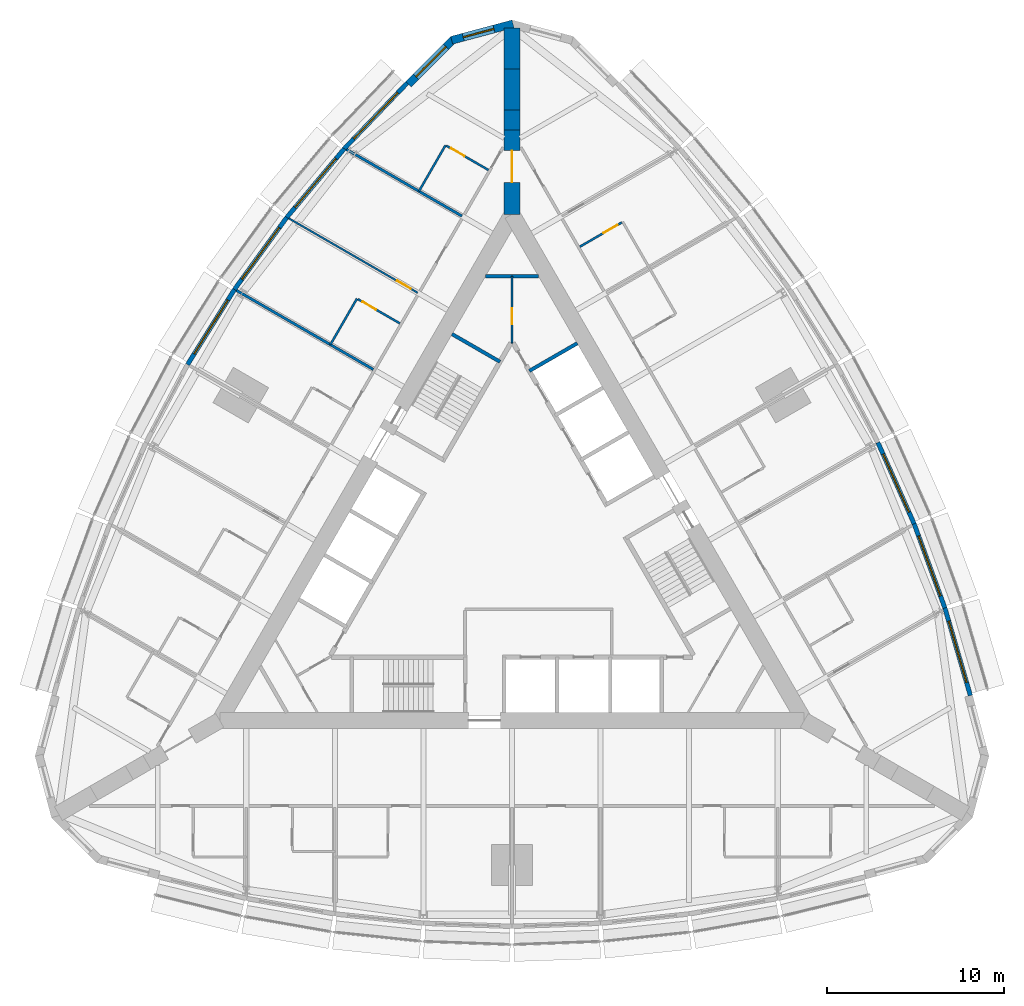
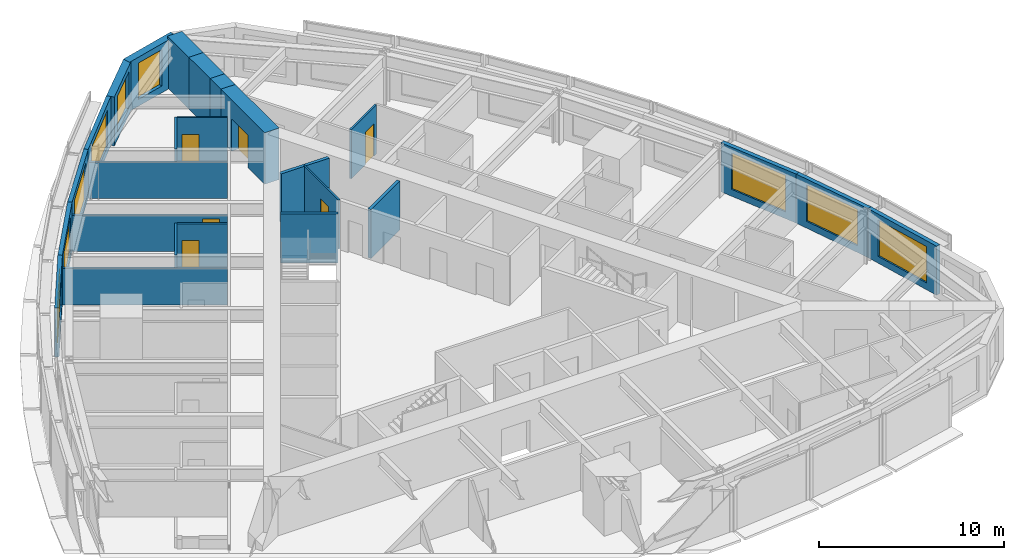
# One storey, part 12 of 14: 25 walls, 9 windows, 6 doors, 15 openings.
"""IFC4 building model written with IfcOpenShell, lengths in metres."""

import ifcopenshell
import ifcopenshell.guid

model = None  # the IFC model being written
_history = None  # IfcOwnerHistory: only IFC2X3 demands one
_inside = {}  # id of a spatial element -> (the spatial element, [elements in it])
_under = {}  # id of a project, library or spatial element -> (it, [spatial elements below it])
_declared = {}  # id of a project -> (the project, [libraries it declares])
_typed = {}  # id of a type object -> (the type object, [elements of that type])
_made_of = {}  # id of a material, layer set ... -> (it, [elements and type objects made of it])


def new_model(schema):
    """Start an empty IFC model of exactly this schema.

    Asked for "IFC4X3", IfcOpenShell would pick the latest addendum, in which some entities
    have other attributes; the version numbers below select the first issue.
    IFC2X3 requires an IfcOwnerHistory on every rooted entity: one is made here for all.
    """
    global model, _history
    if schema == "IFC4X3":
        model = ifcopenshell.file(schema_version=(4, 3, 0, 0))
    else:
        model = ifcopenshell.file(schema=schema)
    _inside.clear()
    _under.clear()
    _declared.clear()
    _typed.clear()
    _made_of.clear()
    _history = None
    if model.schema == "IFC2X3":
        org = make("IfcOrganization", Name="unknown")
        user = make(
            "IfcPersonAndOrganization",
            ThePerson=make("IfcPerson", FamilyName="unknown"),
            TheOrganization=org,
        )
        app = make(
            "IfcApplication",
            ApplicationDeveloper=org,
            Version="unknown",
            ApplicationFullName="unknown",
            ApplicationIdentifier="unknown",
        )
        _history = make(
            "IfcOwnerHistory",
            OwningUser=user,
            OwningApplication=app,
            ChangeAction="ADDED",
            CreationDate=0,
        )
    return model


def make(cls, **values):
    """One entity of the class cls with the attributes given. An attribute that is None is left unset."""
    return model.create_entity(
        cls, **{name: value for name, value in values.items() if value is not None}
    )


def rooted(cls, **values):
    """An entity with a GlobalId (a new one), such as an element, a storey or a relation."""
    return make(cls, GlobalId=ifcopenshell.guid.new(), OwnerHistory=_history, **values)


def si_unit(unit_type, name, prefix=None):
    """IfcSIUnit, for example si_unit("LENGTHUNIT", "METRE", prefix="MILLI")."""
    return make("IfcSIUnit", UnitType=unit_type, Prefix=prefix, Name=name)


def assignment(units):
    """IfcUnitAssignment: the units of a project."""
    return None if units is None else make("IfcUnitAssignment", Units=units)


def point(xyz):
    """IfcCartesianPoint."""
    return None if xyz is None else make("IfcCartesianPoint", Coordinates=xyz)


def direction(xyz):
    """IfcDirection."""
    return None if xyz is None else make("IfcDirection", DirectionRatios=xyz)


def frame(location, z_axis=None, x_axis=None):
    """IfcAxis2Placement3D, a coordinate frame: its origin and axes. An axis left out is left unset."""
    return make(
        "IfcAxis2Placement3D",
        Location=point(location),
        Axis=direction(z_axis),
        RefDirection=direction(x_axis),
    )


def frame_2d(location, x_axis=None):
    """IfcAxis2Placement2D, a coordinate frame in the plane: its origin and x axis."""
    return make(
        "IfcAxis2Placement2D", Location=point(location), RefDirection=direction(x_axis)
    )


def origin():
    """The frame at (0, 0, 0) with its axes left unset."""
    return frame((0.0, 0.0, 0.0))


def place(relative_to, where):
    """IfcLocalPlacement: puts the frame where relative to a parent placement (None: the world)."""
    return make(
        "IfcLocalPlacement", PlacementRelTo=relative_to, RelativePlacement=where
    )


def context(
    kind, dimensions, precision=None, world=None, true_north=None, identifier=None
):
    """IfcGeometricRepresentationContext, for example the 3D "Model" context."""
    return make(
        "IfcGeometricRepresentationContext",
        ContextIdentifier=identifier,
        ContextType=kind,
        CoordinateSpaceDimension=dimensions,
        Precision=precision,
        WorldCoordinateSystem=world,
        TrueNorth=true_north,
    )


def subcontext(parent, identifier, kind, view, scale=None):
    """IfcGeometricRepresentationSubContext, for example "Body" below "Model"."""
    return make(
        "IfcGeometricRepresentationSubContext",
        ContextIdentifier=identifier,
        ContextType=kind,
        ParentContext=parent,
        TargetScale=scale,
        TargetView=view,
    )


def project(units=None, contexts=None):
    """IfcProject with its units and contexts."""
    return rooted(
        "IfcProject",
        Name="project",
        RepresentationContexts=contexts,
        UnitsInContext=assignment(units),
    )


def spatial(cls, under=None, at=None, **own):
    """A site, building, storey or space (cls), placed at a placement, below another one or the project."""
    s = rooted(cls, ObjectPlacement=at, **own)
    if under is not None:
        _under.setdefault(under.id(), (under, []))[1].append(s)
    return s


def polyline(points):
    """IfcPolyline through the points."""
    return make("IfcPolyline", Points=[point(p) for p in points])


def profile(cls, at=None, kind="AREA", **sizes):
    """A parametric profile (cls). Its sizes go by their IFC names, for example OverallWidth=200.0."""
    return make(cls, ProfileType=kind, Position=at, **sizes)


def rectangle(**sizes):
    """IfcRectangleProfileDef."""
    return profile("IfcRectangleProfileDef", **sizes)


def outline(outer, holes=None, kind="AREA"):
    """IfcArbitraryClosedProfileDef: a profile drawn as a closed curve; with holes, ...WithVoids."""
    if holes is None:
        return make("IfcArbitraryClosedProfileDef", ProfileType=kind, OuterCurve=outer)
    return make(
        "IfcArbitraryProfileDefWithVoids",
        ProfileType=kind,
        OuterCurve=outer,
        InnerCurves=holes,
    )


def extrude(swept, where, along, depth):
    """IfcExtrudedAreaSolid: the profile swept, set in the frame where, extruded along a direction by depth."""
    return make(
        "IfcExtrudedAreaSolid",
        SweptArea=swept,
        Position=where,
        ExtrudedDirection=direction(along),
        Depth=depth,
    )


def shape(context_of_items, identifier, shape_type, items):
    """IfcShapeRepresentation: the items that make up one representation, for example the "Body"."""
    return make(
        "IfcShapeRepresentation",
        ContextOfItems=context_of_items,
        RepresentationIdentifier=identifier,
        RepresentationType=shape_type,
        Items=items,
    )


def material(Name=None, Category=None):
    """IfcMaterial."""
    return make("IfcMaterial", Name=Name, Category=Category)


def layer(
    of_material, thickness, ventilated=None, Name=None, Category=None, Priority=None
):
    """IfcMaterialLayer: one layer of a wall or slab, of a material (None: an air gap)."""
    return make(
        "IfcMaterialLayer",
        Material=of_material,
        LayerThickness=thickness,
        IsVentilated=ventilated,
        Name=Name,
        Category=Category,
        Priority=Priority,
    )


def layer_set(layers, Name=None):
    """IfcMaterialLayerSet."""
    return make("IfcMaterialLayerSet", MaterialLayers=layers, LayerSetName=Name)


def made_of(thing, what):
    """Note that an element or type object is made of a material, layer set ...; save() writes the relation."""
    if what is not None:
        _made_of.setdefault(what.id(), (what, []))[1].append(thing)
    return thing


def type_object(cls, material=None, **own):
    """A type object (cls), such as IfcWallType, which elements share."""
    return made_of(rooted(cls, **own), material)


def element(
    cls,
    number,
    at=None,
    inside=None,
    cuts=None,
    type_object=None,
    material=None,
    context=None,
    identifier="Body",
    shape_type=None,
    held_by="IfcProductDefinitionShape",
    body=None,
    shapes=None,
    **own,
):
    """One element of the class cls, such as IfcWall. Its Tag is "e" and its number.

    at: its placement. inside: the storey or other place that contains it. cuts: it is an
    opening in that element (IfcRelVoidsElement). A single representation is given by context,
    identifier, shape_type and body (its items); several are given by shapes. held_by: the class
    of the entity that holds the representations. save() writes the other relations.
    """
    e = rooted(cls, Tag="e%d" % number, ObjectPlacement=at, **own)
    if body is not None:
        shapes = [shape(context, identifier, shape_type, body)]
    if shapes is not None:
        e.Representation = make(held_by, Representations=shapes)
    if inside is not None:
        _inside.setdefault(inside.id(), (inside, []))[1].append(e)
    if cuts is not None:
        rooted(
            "IfcRelVoidsElement", RelatingBuildingElement=cuts, RelatedOpeningElement=e
        )
    if type_object is not None:
        _typed.setdefault(type_object.id(), (type_object, []))[1].append(e)
    return made_of(e, material)


def fill(opening, filler):
    """IfcRelFillsElement: the door or window that sits in an opening."""
    return rooted(
        "IfcRelFillsElement",
        RelatingOpeningElement=opening,
        RelatedBuildingElement=filler,
    )


def aggregate(whole, parts):
    """IfcRelAggregates: a whole, such as a stair, and the parts it consists of."""
    return rooted("IfcRelAggregates", RelatingObject=whole, RelatedObjects=parts)


def save(model, path):
    """Write the relations noted so far, then the file.

    IfcRelAggregates (storeys below a building ...), IfcRelContainedInSpatialStructure (elements
    in a storey), IfcRelDefinesByType, IfcRelAssociatesMaterial and IfcRelDeclares: one each for
    every whole, place, type object, material and project.
    """
    for whole, parts in _under.values():
        aggregate(whole, parts)
    for where, things in _inside.values():
        rooted(
            "IfcRelContainedInSpatialStructure",
            RelatedElements=things,
            RelatingStructure=where,
        )
    for kind, things in _typed.values():
        rooted("IfcRelDefinesByType", RelatedObjects=things, RelatingType=kind)
    for what, things in _made_of.values():
        rooted("IfcRelAssociatesMaterial", RelatedObjects=things, RelatingMaterial=what)
    for by, libraries in _declared.values():
        rooted("IfcRelDeclares", RelatingContext=by, RelatedDefinitions=libraries)
    model.write(path)


model = new_model("IFC4")

# Units and contexts
model_context = context("Model", 3, precision=1e-05, world=origin(), true_north=direction((0.0, 1.0)))
body_context = subcontext(model_context, "Body", "Model", "MODEL_VIEW")
ifc_project = project(units=[si_unit("LENGTHUNIT", "METRE"), si_unit("AREAUNIT", "SQUARE_METRE"), si_unit("VOLUMEUNIT", "CUBIC_METRE"), si_unit("PLANEANGLEUNIT", "RADIAN"), si_unit("MASSUNIT", "GRAM", prefix="KILO")], contexts=[model_context])

# Site, building, storey
site_placement = place(None, origin())
site = spatial("IfcSite", under=ifc_project, at=site_placement, CompositionType="ELEMENT")
building_placement = place(site_placement, origin())
building = spatial("IfcBuilding", under=site, at=building_placement, Name="Trikona Tower", CompositionType="ELEMENT")
storey_placement = place(building_placement, frame((0.0, 0.0, 175.89990234375)))
storey = spatial("IfcBuildingStorey", under=building, at=storey_placement, Name="L47", CompositionType="ELEMENT", Elevation=175.89990234375)

# Wall, opening, door
ifc_material_1 = material(Name="Metal stud and cement board", Category="gypsum")
ifc_layer_1 = layer(ifc_material_1, 0.1201171875)
ifc_layer_set_1 = layer_set([ifc_layer_1], Name="Bathroom wall 120")
wall_type_1 = type_object("IfcWallType", Name="Bathroom wall 120", PredefinedType="PLUMBINGWALL", material=ifc_layer_set_1)
wall_1_placement = place(storey_placement, frame((3.82861328125, 17.221435546875, 0.0), z_axis=(0.0, 0.0, 1.0), x_axis=(0.865997131366, 0.500048966069, 0.0)))
wall_1 = element("IfcWall", 1, at=wall_1_placement, inside=storey, type_object=wall_type_1, Name="Bathroom wall 4709.1", PredefinedType="PLUMBINGWALL", context=body_context, shape_type="SweptSolid", body=[
    extrude(rectangle(XDim=2.739990234375, YDim=0.1201171875, at=frame_2d((1.3701171875, 0.0))), origin(), (0.0, 0.0, 1.0), 3.235107421875),
])
opening_1_placement = place(wall_1_placement, frame((1.550048828125, 0.0, 0.0)))
opening_1 = element("IfcOpeningElement", 2, at=opening_1_placement, cuts=wall_1, Name="Opening D2", PredefinedType="OPENING", context=body_context, shape_type="SweptSolid", body=[
    extrude(rectangle(XDim=0.89990234375, YDim=2.1298828125, at=frame_2d((0.449951171875, 1.06494140625))), frame((0.0, 0.070068359375, 0.0), z_axis=(0.0, -1.0, 0.0), x_axis=(1.0, 0.0, 0.0)), (0.0, 0.0, 1.0), 0.14013671875),
])
ifc_material_2 = material(Name="Steel door frame with solid-core timber leaf", Category="steel")
door_type_1 = type_object("IfcDoorType", Name="Bathroom door 900x2130", OperationType="SLIDING_TO_LEFT", PredefinedType="DOOR", material=ifc_material_2)
door_1_placement = place(opening_1_placement, origin())
door_1 = element("IfcDoor", 3, at=door_1_placement, inside=storey, type_object=door_type_1, Name="Bathroom door 4709.1", OperationType="SLIDING_TO_LEFT", OverallHeight=2.1298828125, OverallWidth=0.89990234375, PredefinedType="DOOR", context=body_context, shape_type="SweptSolid", body=[
    extrude(rectangle(XDim=0.89990234375, YDim=2.1298828125, at=frame_2d((0.449951171875, 1.06494140625))), frame((0.0, 0.02490234375, 0.0), z_axis=(0.0, -1.0, 0.0), x_axis=(1.0, 0.0, 0.0)), (0.0, 0.0, 1.0), 0.050048828125),
])
fill(opening_1, door_1)

# Wall
wall_2_placement = place(storey_placement, frame((-3.75341796875, 22.95166015625, 0.0), z_axis=(0.0, 0.0, 1.0), x_axis=(-0.499990139034, -0.866031096941, 0.0)))
element("IfcWall", 4, at=wall_2_placement, inside=storey, type_object=wall_type_1, Name="Bathroom wall 4710", PredefinedType="PLUMBINGWALL", context=body_context, shape_type="SweptSolid", body=[
    extrude(rectangle(XDim=3.0, YDim=0.1201171875, at=frame_2d((1.5, 0.0))), origin(), (0.0, 0.0, 1.0), 3.235107421875),
])

# Wall, opening, door
wall_3_placement = place(storey_placement, frame((-1.32861328125, 21.551513671875, 0.0), z_axis=(0.0, 0.0, 1.0), x_axis=(-0.865997131366, 0.500048966069, 0.0)))
wall_3 = element("IfcWall", 5, at=wall_3_placement, inside=storey, type_object=wall_type_1, Name="Bathroom wall 4710", PredefinedType="PLUMBINGWALL", context=body_context, shape_type="SweptSolid", body=[
    extrude(rectangle(XDim=2.739990234375, YDim=0.1201171875, at=frame_2d((1.3701171875, 0.0))), origin(), (0.0, 0.0, 1.0), 3.235107421875),
])
opening_2_placement = place(wall_3_placement, frame((1.550048828125, 0.0, 0.0)))
opening_2 = element("IfcOpeningElement", 6, at=opening_2_placement, cuts=wall_3, Name="Opening D2", PredefinedType="OPENING", context=body_context, shape_type="SweptSolid", body=[
    extrude(rectangle(XDim=0.89990234375, YDim=2.1298828125, at=frame_2d((0.449951171875, 1.06494140625))), frame((0.0, 0.070068359375, 0.0), z_axis=(0.0, -1.0, 0.0), x_axis=(1.0, 0.0, 0.0)), (0.0, 0.0, 1.0), 0.14013671875),
])
door_2_placement = place(opening_2_placement, origin())
door_2 = element("IfcDoor", 7, at=door_2_placement, inside=storey, type_object=door_type_1, Name="Bathroom door 4710", OperationType="SLIDING_TO_LEFT", OverallHeight=2.1298828125, OverallWidth=0.89990234375, PredefinedType="DOOR", context=body_context, shape_type="SweptSolid", body=[
    extrude(rectangle(XDim=0.89990234375, YDim=2.1298828125, at=frame_2d((0.449951171875, 1.06494140625))), frame((0.0, 0.02490234375, 0.0), z_axis=(0.0, -1.0, 0.0), x_axis=(1.0, 0.0, 0.0)), (0.0, 0.0, 1.0), 0.050048828125),
])
fill(opening_2, door_2)

# Wall
wall_4_placement = place(storey_placement, frame((-8.75341796875, 14.291259765625, 0.0), z_axis=(0.0, 0.0, 1.0), x_axis=(-0.50002537861, -0.866010750942, 0.0)))
element("IfcWall", 8, at=wall_4_placement, inside=storey, type_object=wall_type_1, Name="Bathroom wall 4711.1", PredefinedType="PLUMBINGWALL", context=body_context, shape_type="SweptSolid", body=[
    extrude(rectangle(XDim=2.999755859375, YDim=0.1201171875, at=frame_2d((1.5, 0.0))), origin(), (0.0, 0.0, 1.0), 3.235107421875),
])

# Wall, opening, door
wall_5_placement = place(storey_placement, frame((-6.32861328125, 12.891357421875, 0.0), z_axis=(0.0, 0.0, 1.0), x_axis=(-0.866035715982, 0.499982138324, 0.0)))
wall_5 = element("IfcWall", 9, at=wall_5_placement, inside=storey, type_object=wall_type_1, Name="Bathroom wall 4711.1", PredefinedType="PLUMBINGWALL", context=body_context, shape_type="SweptSolid", body=[
    extrude(rectangle(XDim=2.73974609375, YDim=0.1201171875, at=frame_2d((1.369873046875, 0.0))), origin(), (0.0, 0.0, 1.0), 3.235107421875),
])
opening_3_placement = place(wall_5_placement, frame((1.550048828125, 0.0, 0.0)))
opening_3 = element("IfcOpeningElement", 10, at=opening_3_placement, cuts=wall_5, Name="Opening D2", PredefinedType="OPENING", context=body_context, shape_type="SweptSolid", body=[
    extrude(rectangle(XDim=0.89990234375, YDim=2.1298828125, at=frame_2d((0.449951171875, 1.06494140625))), frame((0.0, 0.070068359375, 0.0), z_axis=(0.0, -1.0, 0.0), x_axis=(1.0, 0.0, 0.0)), (0.0, 0.0, 1.0), 0.14013671875),
])
door_3_placement = place(opening_3_placement, origin())
door_3 = element("IfcDoor", 11, at=door_3_placement, inside=storey, type_object=door_type_1, Name="Bathroom door 4711.1", OperationType="SLIDING_TO_LEFT", OverallHeight=2.1298828125, OverallWidth=0.89990234375, PredefinedType="DOOR", context=body_context, shape_type="SweptSolid", body=[
    extrude(rectangle(XDim=0.89990234375, YDim=2.1298828125, at=frame_2d((0.449951171875, 1.06494140625))), frame((0.0, 0.02490234375, 0.0), z_axis=(0.0, -1.0, 0.0), x_axis=(1.0, 0.0, 0.0)), (0.0, 0.0, 1.0), 0.050048828125),
])
fill(opening_3, door_3)

# Wall, opening, window
ifc_material_3 = material(Name="Brick-faced precast concrete", Category="masonry")
ifc_layer_2 = layer(ifc_material_3, 0.449951171875)
ifc_layer_set_2 = layer_set([ifc_layer_2], Name="Brick-faced corner wall 450")
wall_type_2 = type_object("IfcWallType", Name="Brick-faced corner wall 450", PredefinedType="SOLIDWALL", material=ifc_layer_set_2)
wall_6_placement = place(storey_placement, frame((0.05810546875, 29.804931640625, 0.0), z_axis=(0.0, 0.0, 1.0), x_axis=(-0.965924653531, -0.258823421857, 0.0)))
wall_6 = element("IfcWall", 12, at=wall_6_placement, inside=storey, type_object=wall_type_2, Name="External wall L47-22", PredefinedType="SOLIDWALL", context=body_context, shape_type="SweptSolid", body=[
    extrude(outline(polyline([(3.58642578125, 0.22509765625), (0.58642578125, 0.22509765625), (0.551025390625, 0.09326171875), (0.0595703125, 0.22509765625), (0.0, 0.22509765625), (0.0, -0.22509765625), (3.58642578125, -0.22509765625), (3.58642578125, 0.22509765625)])), origin(), (0.0, 0.0, 1.0), 3.235107421875),
])
opening_4_placement = place(wall_6_placement, frame((1.111328125, 0.0, 0.449951171875)))
opening_4 = element("IfcOpeningElement", 13, at=opening_4_placement, cuts=wall_6, Name="Opening W1824", PredefinedType="OPENING", context=body_context, shape_type="SweptSolid", body=[
    extrude(rectangle(XDim=1.800048828125, YDim=2.39990234375, at=frame_2d((0.89990234375, 1.199951171875))), frame((0.0, 0.23486328125, 0.0), z_axis=(0.0, -1.0, 0.0), x_axis=(1.0, 0.0, 0.0)), (0.0, 0.0, 1.0), 0.469970703125),
])
ifc_material_4 = material(Name="Aluminium-framed double glazing", Category="aluminium")
window_type_1 = type_object("IfcWindowType", Name="Window 1800x2400", PartitioningType="SINGLE_PANEL", PredefinedType="WINDOW", material=ifc_material_4)
window_1_placement = place(opening_4_placement, origin())
window_1 = element("IfcWindow", 14, at=window_1_placement, inside=storey, type_object=window_type_1, Name="Window 4710", OverallHeight=2.39990234375, OverallWidth=1.800048828125, PartitioningType="SINGLE_PANEL", PredefinedType="WINDOW", context=body_context, shape_type="SweptSolid", body=[
    extrude(rectangle(XDim=1.800048828125, YDim=2.39990234375, at=frame_2d((0.89990234375, 1.199951171875))), frame((0.0, 0.030029296875, 0.0), z_axis=(0.0, -1.0, 0.0), x_axis=(1.0, 0.0, 0.0)), (0.0, 0.0, 1.0), 0.06005859375),
])
fill(opening_4, window_1)

wall_7_placement = place(storey_placement, frame((-3.304931640625, 28.934814453125, 0.0), z_axis=(0.0, 0.0, 1.0), x_axis=(-0.707106781187, -0.707106781187, 0.0)))
wall_7 = element("IfcWall", 15, at=wall_7_placement, inside=storey, type_object=wall_type_2, Name="External wall L47-23", PredefinedType="SOLIDWALL", context=body_context, shape_type="SweptSolid", body=[
    extrude(rectangle(XDim=3.586181640625, YDim=0.449951171875, at=frame_2d((1.79296875, 0.0))), origin(), (0.0, 0.0, 1.0), 3.235107421875),
])
opening_5_placement = place(wall_7_placement, frame((0.59326171875, 0.0, 0.449951171875)))
opening_5 = element("IfcOpeningElement", 16, at=opening_5_placement, cuts=wall_7, Name="Opening W2424", PredefinedType="OPENING", context=body_context, shape_type="SweptSolid", body=[
    extrude(rectangle(XDim=2.39990234375, YDim=2.39990234375, at=frame_2d((1.199951171875, 1.199951171875))), frame((0.0, 0.23486328125, 0.0), z_axis=(0.0, -1.0, 0.0), x_axis=(1.0, 0.0, 0.0)), (0.0, 0.0, 1.0), 0.469970703125),
])
ifc_material_5 = material(Name="Aluminium-framed double glazing", Category="aluminium")
window_type_2 = type_object("IfcWindowType", Name="Window 2400x2400", PartitioningType="SINGLE_PANEL", PredefinedType="WINDOW", material=ifc_material_5)
window_2_placement = place(opening_5_placement, origin())
window_2 = element("IfcWindow", 17, at=window_2_placement, inside=storey, type_object=window_type_2, Name="Window 4710", OverallHeight=2.39990234375, OverallWidth=2.39990234375, PartitioningType="SINGLE_PANEL", PredefinedType="WINDOW", context=body_context, shape_type="SweptSolid", body=[
    extrude(rectangle(XDim=2.39990234375, YDim=2.39990234375, at=frame_2d((1.199951171875, 1.199951171875))), frame((0.0, 0.030029296875, 0.0), z_axis=(0.0, -1.0, 0.0), x_axis=(1.0, 0.0, 0.0)), (0.0, 0.0, 1.0), 0.06005859375),
])
fill(opening_5, window_2)

# Wall, opening, door
ifc_material_6 = material(Name="Concrete f'c 10000 psi", Category="concrete")
ifc_layer_3 = layer(ifc_material_6, 0.89990234375)
ifc_layer_set_3 = layer_set([ifc_layer_3], Name="Buttress wall 900")
wall_type_3 = type_object("IfcWallType", Name="Buttress wall 900", PredefinedType="SHEAR", material=ifc_layer_set_3)
wall_8_placement = place(storey_placement, frame((0.0, 19.052490234375, 0.0), z_axis=(0.0, 0.0, 1.0), x_axis=(0.0, 1.0, 0.0)))
wall_8 = element("IfcWall", 18, at=wall_8_placement, inside=storey, type_object=wall_type_3, Name="Buttress wall 2", PredefinedType="SHEAR", context=body_context, shape_type="SweptSolid", body=[
    extrude(rectangle(XDim=4.74609375, YDim=0.89990234375, at=frame_2d((2.373046875, 0.0))), origin(), (0.0, 0.0, 1.0), 3.400146484375),
])
opening_6_placement = place(wall_8_placement, frame((1.800048828125, 0.0, 0.0)))
opening_6 = element("IfcOpeningElement", 19, at=opening_6_placement, cuts=wall_8, Name="Opening D10", PredefinedType="OPENING", context=body_context, shape_type="SweptSolid", body=[
    extrude(rectangle(XDim=1.800048828125, YDim=2.1298828125, at=frame_2d((0.89990234375, 1.06494140625))), frame((0.0, 0.4599609375, 0.0), z_axis=(0.0, -1.0, 0.0), x_axis=(1.0, 0.0, 0.0)), (0.0, 0.0, 1.0), 0.919921875),
])
ifc_material_7 = material(Name="Hollow metal door and frame", Category="steel")
door_type_2 = type_object("IfcDoorType", Name="Cross-corridor door pair 1800x2130", OperationType="DOUBLE_DOOR_DOUBLE_SWING", PredefinedType="DOOR", material=ifc_material_7)
door_4_placement = place(opening_6_placement, origin())
door_4 = element("IfcDoor", 20, at=door_4_placement, inside=storey, type_object=door_type_2, Name="Cross-corridor door 2", OperationType="DOUBLE_DOOR_DOUBLE_SWING", OverallHeight=2.1298828125, OverallWidth=1.800048828125, PredefinedType="DOOR", context=body_context, shape_type="SweptSolid", body=[
    extrude(rectangle(XDim=1.800048828125, YDim=2.1298828125, at=frame_2d((0.89990234375, 1.06494140625))), frame((0.0, 0.02490234375, 0.0), z_axis=(0.0, -1.0, 0.0), x_axis=(1.0, 0.0, 0.0)), (0.0, 0.0, 1.0), 0.050048828125),
])
fill(opening_6, door_4)

# Walls
wall_9_placement = place(storey_placement, frame((0.0, 23.798583984375, 0.0), z_axis=(0.0, 0.0, 1.0), x_axis=(0.0, 1.0, 0.0)))
element("IfcWall", 21, at=wall_9_placement, inside=storey, type_object=wall_type_3, Name="Buttress wall 2 part 2", PredefinedType="SHEAR", context=body_context, shape_type="SweptSolid", body=[
    extrude(rectangle(XDim=1.15478515625, YDim=0.89990234375, at=frame_2d((0.577392578125, 0.0))), origin(), (0.0, 0.0, 1.0), 3.400146484375),
])
wall_10_placement = place(storey_placement, frame((0.0, 24.953369140625, 0.0), z_axis=(0.0, 0.0, 1.0), x_axis=(0.0, 1.0, 0.0)))
element("IfcWall", 22, at=wall_10_placement, inside=storey, type_object=wall_type_3, Name="Buttress wall 2 part 3", PredefinedType="SHEAR", context=body_context, shape_type="SweptSolid", body=[
    extrude(rectangle(XDim=2.309326171875, YDim=0.89990234375, at=frame_2d((1.15478515625, 0.0))), origin(), (0.0, 0.0, 1.0), 3.400146484375),
])
wall_11_placement = place(storey_placement, frame((0.0, 27.2626953125, 0.0), z_axis=(0.0, 0.0, 1.0), x_axis=(0.0, 1.0, 0.0)))
element("IfcWall", 23, at=wall_11_placement, inside=storey, type_object=wall_type_3, Name="Buttress wall 2 part 4", PredefinedType="SHEAR", context=body_context, shape_type="SweptSolid", body=[
    extrude(rectangle(XDim=2.3095703125, YDim=0.89990234375, at=frame_2d((1.15478515625, 0.0))), origin(), (0.0, 0.0, 1.0), 3.400146484375),
])

# Wall, opening, window
ifc_material_8 = material(Name="Insulated precast concrete spandrel panel", Category="concrete")
ifc_layer_4 = layer(ifc_material_8, 0.25)
ifc_layer_set_4 = layer_set([ifc_layer_4], Name="Inner skin wall 250")
wall_type_4 = type_object("IfcWallType", Name="Inner skin wall 250", PredefinedType="STANDARD", material=ifc_layer_set_4)
wall_12_placement = place(storey_placement, frame((25.8798828125, -8.117919921875, 0.0), z_axis=(0.0, 0.0, 1.0), x_axis=(-0.279528287117, 0.960137457191, 0.0)))
wall_12 = element("IfcWall", 24, at=wall_12_placement, inside=storey, type_object=wall_type_4, Name="External wall L47-12", PredefinedType="STANDARD", context=body_context, shape_type="SweptSolid", body=[
    extrude(rectangle(XDim=5.14794921875, YDim=0.25, at=frame_2d((2.573974609375, 0.0))), origin(), (0.0, 0.0, 1.0), 3.235107421875),
])
opening_7_placement = place(wall_12_placement, frame((0.77392578125, 0.0, 0.449951171875)))
opening_7 = element("IfcOpeningElement", 25, at=opening_7_placement, cuts=wall_12, Name="Opening W3624", PredefinedType="OPENING", context=body_context, shape_type="SweptSolid", body=[
    extrude(rectangle(XDim=3.60009765625, YDim=2.39990234375, at=frame_2d((1.800048828125, 1.199951171875))), frame((0.0, 0.135009765625, 0.0), z_axis=(0.0, -1.0, 0.0), x_axis=(1.0, 0.0, 0.0)), (0.0, 0.0, 1.0), 0.27001953125),
])
ifc_material_9 = material(Name="Aluminium-framed double glazing", Category="aluminium")
window_type_3 = type_object("IfcWindowType", Name="Window 3600x2400", PartitioningType="SINGLE_PANEL", PredefinedType="WINDOW", material=ifc_material_9)
window_3_placement = place(opening_7_placement, origin())
window_3 = element("IfcWindow", 26, at=window_3_placement, inside=storey, type_object=window_type_3, Name="Window 4706", OverallHeight=2.39990234375, OverallWidth=3.60009765625, PartitioningType="SINGLE_PANEL", PredefinedType="WINDOW", context=body_context, shape_type="SweptSolid", body=[
    extrude(rectangle(XDim=3.60009765625, YDim=2.39990234375, at=frame_2d((1.800048828125, 1.199951171875))), frame((0.0, 0.030029296875, 0.0), z_axis=(0.0, -1.0, 0.0), x_axis=(1.0, 0.0, 0.0)), (0.0, 0.0, 1.0), 0.06005859375),
])
fill(opening_7, window_3)

wall_13_placement = place(storey_placement, frame((24.443603515625, -3.18310546875, 0.0), z_axis=(0.0, 0.0, 1.0), x_axis=(-0.343225593282, 0.939252996863, 0.0)))
wall_13 = element("IfcWall", 27, at=wall_13_placement, inside=storey, type_object=wall_type_4, Name="External wall L47-13", PredefinedType="STANDARD", context=body_context, shape_type="SweptSolid", body=[
    extrude(rectangle(XDim=5.075927734375, YDim=0.25, at=frame_2d((2.5380859375, 0.0))), origin(), (0.0, 0.0, 1.0), 3.235107421875),
])
opening_8_placement = place(wall_13_placement, frame((0.738037109375, 0.0, 0.449951171875)))
opening_8 = element("IfcOpeningElement", 28, at=opening_8_placement, cuts=wall_13, Name="Opening W3624", PredefinedType="OPENING", context=body_context, shape_type="SweptSolid", body=[
    extrude(rectangle(XDim=3.60009765625, YDim=2.39990234375, at=frame_2d((1.800048828125, 1.199951171875))), frame((0.0, 0.135009765625, 0.0), z_axis=(0.0, -1.0, 0.0), x_axis=(1.0, 0.0, 0.0)), (0.0, 0.0, 1.0), 0.27001953125),
])
window_4_placement = place(opening_8_placement, origin())
window_4 = element("IfcWindow", 29, at=window_4_placement, inside=storey, type_object=window_type_3, Name="Window 4706.1", OverallHeight=2.39990234375, OverallWidth=3.60009765625, PartitioningType="SINGLE_PANEL", PredefinedType="WINDOW", context=body_context, shape_type="SweptSolid", body=[
    extrude(rectangle(XDim=3.60009765625, YDim=2.39990234375, at=frame_2d((1.800048828125, 1.199951171875))), frame((0.0, 0.030029296875, 0.0), z_axis=(0.0, -1.0, 0.0), x_axis=(1.0, 0.0, 0.0)), (0.0, 0.0, 1.0), 0.06005859375),
])
fill(opening_8, window_4)

wall_14_placement = place(storey_placement, frame((22.70458984375, 1.576416015625, 0.0), z_axis=(0.0, 0.0, 1.0), x_axis=(-0.406832200364, 0.913502906808, 0.0)))
wall_14 = element("IfcWall", 30, at=wall_14_placement, inside=storey, type_object=wall_type_4, Name="External wall L47-14", PredefinedType="STANDARD", context=body_context, shape_type="SweptSolid", body=[
    extrude(rectangle(XDim=5.027587890625, YDim=0.25, at=frame_2d((2.513671875, 0.0))), origin(), (0.0, 0.0, 1.0), 3.235107421875),
])
opening_9_placement = place(wall_14_placement, frame((0.713623046875, 0.0, 0.449951171875)))
opening_9 = element("IfcOpeningElement", 31, at=opening_9_placement, cuts=wall_14, Name="Opening W3624", PredefinedType="OPENING", context=body_context, shape_type="SweptSolid", body=[
    extrude(rectangle(XDim=3.60009765625, YDim=2.39990234375, at=frame_2d((1.800048828125, 1.199951171875))), frame((0.0, 0.135009765625, 0.0), z_axis=(0.0, -1.0, 0.0), x_axis=(1.0, 0.0, 0.0)), (0.0, 0.0, 1.0), 0.27001953125),
])
window_5_placement = place(opening_9_placement, origin())
window_5 = element("IfcWindow", 32, at=window_5_placement, inside=storey, type_object=window_type_3, Name="Window 4707", OverallHeight=2.39990234375, OverallWidth=3.60009765625, PartitioningType="SINGLE_PANEL", PredefinedType="WINDOW", context=body_context, shape_type="SweptSolid", body=[
    extrude(rectangle(XDim=3.60009765625, YDim=2.39990234375, at=frame_2d((1.800048828125, 1.199951171875))), frame((0.0, 0.030029296875, 0.0), z_axis=(0.0, -1.0, 0.0), x_axis=(1.0, 0.0, 0.0)), (0.0, 0.0, 1.0), 0.06005859375),
])
fill(opening_9, window_5)

wall_15_placement = place(storey_placement, frame((-5.90966796875, 26.4716796875, 0.0), z_axis=(0.0, 0.0, 1.0), x_axis=(-0.691719937936, -0.722165858693, 0.0)))
wall_15 = element("IfcWall", 33, at=wall_15_placement, inside=storey, type_object=wall_type_4, Name="External wall L47-24", PredefinedType="STANDARD", context=body_context, shape_type="SweptSolid", body=[
    extrude(rectangle(XDim=5.148193359375, YDim=0.25, at=frame_2d((2.57421875, 0.0))), origin(), (0.0, 0.0, 1.0), 3.235107421875),
])
opening_10_placement = place(wall_15_placement, frame((0.77392578125, 0.0, 0.449951171875)))
opening_10 = element("IfcOpeningElement", 34, at=opening_10_placement, cuts=wall_15, Name="Opening W3624", PredefinedType="OPENING", context=body_context, shape_type="SweptSolid", body=[
    extrude(rectangle(XDim=3.60009765625, YDim=2.39990234375, at=frame_2d((1.800048828125, 1.199951171875))), frame((0.0, 0.135009765625, 0.0), z_axis=(0.0, -1.0, 0.0), x_axis=(1.0, 0.0, 0.0)), (0.0, 0.0, 1.0), 0.27001953125),
])
window_6_placement = place(opening_10_placement, origin())
window_6 = element("IfcWindow", 35, at=window_6_placement, inside=storey, type_object=window_type_3, Name="Window 4710", OverallHeight=2.39990234375, OverallWidth=3.60009765625, PartitioningType="SINGLE_PANEL", PredefinedType="WINDOW", context=body_context, shape_type="SweptSolid", body=[
    extrude(rectangle(XDim=3.60009765625, YDim=2.39990234375, at=frame_2d((1.800048828125, 1.199951171875))), frame((0.0, 0.030029296875, 0.0), z_axis=(0.0, -1.0, 0.0), x_axis=(1.0, 0.0, 0.0)), (0.0, 0.0, 1.0), 0.06005859375),
])
fill(opening_10, window_6)

wall_16_placement = place(storey_placement, frame((-9.465087890625, 22.76025390625, 0.0), z_axis=(0.0, 0.0, 1.0), x_axis=(-0.641810386606, -0.766863369607, 0.0)))
wall_16 = element("IfcWall", 36, at=wall_16_placement, inside=storey, type_object=wall_type_4, Name="External wall L47-25", PredefinedType="STANDARD", context=body_context, shape_type="SweptSolid", body=[
    extrude(rectangle(XDim=5.075927734375, YDim=0.25, at=frame_2d((2.5380859375, 0.0))), origin(), (0.0, 0.0, 1.0), 3.235107421875),
])
opening_11_placement = place(wall_16_placement, frame((0.738037109375, 0.0, 0.449951171875)))
opening_11 = element("IfcOpeningElement", 37, at=opening_11_placement, cuts=wall_16, Name="Opening W3624", PredefinedType="OPENING", context=body_context, shape_type="SweptSolid", body=[
    extrude(rectangle(XDim=3.60009765625, YDim=2.39990234375, at=frame_2d((1.800048828125, 1.199951171875))), frame((0.0, 0.135009765625, 0.0), z_axis=(0.0, -1.0, 0.0), x_axis=(1.0, 0.0, 0.0)), (0.0, 0.0, 1.0), 0.27001953125),
])
window_7_placement = place(opening_11_placement, origin())
window_7 = element("IfcWindow", 38, at=window_7_placement, inside=storey, type_object=window_type_3, Name="Window 4711", OverallHeight=2.39990234375, OverallWidth=3.60009765625, PartitioningType="SINGLE_PANEL", PredefinedType="WINDOW", context=body_context, shape_type="SweptSolid", body=[
    extrude(rectangle(XDim=3.60009765625, YDim=2.39990234375, at=frame_2d((1.800048828125, 1.199951171875))), frame((0.0, 0.030029296875, 0.0), z_axis=(0.0, -1.0, 0.0), x_axis=(1.0, 0.0, 0.0)), (0.0, 0.0, 1.0), 0.06005859375),
])
fill(opening_11, window_7)

wall_17_placement = place(storey_placement, frame((-12.717529296875, 18.87451171875, 0.0), z_axis=(0.0, 0.0, 1.0), x_axis=(-0.587669188412, -0.809101307001, 0.0)))
wall_17 = element("IfcWall", 39, at=wall_17_placement, inside=storey, type_object=wall_type_4, Name="External wall L47-26", PredefinedType="STANDARD", context=body_context, shape_type="SweptSolid", body=[
    extrude(rectangle(XDim=5.027587890625, YDim=0.25, at=frame_2d((2.513671875, 0.0))), origin(), (0.0, 0.0, 1.0), 3.235107421875),
])
opening_12_placement = place(wall_17_placement, frame((0.7138671875, 0.0, 0.449951171875)))
opening_12 = element("IfcOpeningElement", 40, at=opening_12_placement, cuts=wall_17, Name="Opening W3624", PredefinedType="OPENING", context=body_context, shape_type="SweptSolid", body=[
    extrude(rectangle(XDim=3.60009765625, YDim=2.39990234375, at=frame_2d((1.800048828125, 1.199951171875))), frame((0.0, 0.135009765625, 0.0), z_axis=(0.0, -1.0, 0.0), x_axis=(1.0, 0.0, 0.0)), (0.0, 0.0, 1.0), 0.27001953125),
])
window_8_placement = place(opening_12_placement, origin())
window_8 = element("IfcWindow", 41, at=window_8_placement, inside=storey, type_object=window_type_3, Name="Window 4711.1", OverallHeight=2.39990234375, OverallWidth=3.60009765625, PartitioningType="SINGLE_PANEL", PredefinedType="WINDOW", context=body_context, shape_type="SweptSolid", body=[
    extrude(rectangle(XDim=3.60009765625, YDim=2.39990234375, at=frame_2d((1.800048828125, 1.199951171875))), frame((0.0, 0.030029296875, 0.0), z_axis=(0.0, -1.0, 0.0), x_axis=(1.0, 0.0, 0.0)), (0.0, 0.0, 1.0), 0.06005859375),
])
fill(opening_12, window_8)

wall_18_placement = place(storey_placement, frame((-15.667236328125, 14.81396484375, 0.0), z_axis=(0.0, 0.0, 1.0), x_axis=(-0.529990167382, -0.84800378683, 0.0)))
wall_18 = element("IfcWall", 42, at=wall_18_placement, inside=storey, type_object=wall_type_4, Name="External wall L47-27", PredefinedType="STANDARD", context=body_context, shape_type="SweptSolid", body=[
    extrude(rectangle(XDim=5.003173828125, YDim=0.25, at=frame_2d((2.50146484375, 0.0))), origin(), (0.0, 0.0, 1.0), 3.235107421875),
])
opening_13_placement = place(wall_18_placement, frame((0.701416015625, 0.0, 0.449951171875)))
opening_13 = element("IfcOpeningElement", 43, at=opening_13_placement, cuts=wall_18, Name="Opening W3624", PredefinedType="OPENING", context=body_context, shape_type="SweptSolid", body=[
    extrude(rectangle(XDim=3.60009765625, YDim=2.39990234375, at=frame_2d((1.800048828125, 1.199951171875))), frame((0.0, 0.135009765625, 0.0), z_axis=(0.0, -1.0, 0.0), x_axis=(1.0, 0.0, 0.0)), (0.0, 0.0, 1.0), 0.27001953125),
])
window_9_placement = place(opening_13_placement, origin())
window_9 = element("IfcWindow", 44, at=window_9_placement, inside=storey, type_object=window_type_3, Name="Window 4712", OverallHeight=2.39990234375, OverallWidth=3.60009765625, PartitioningType="SINGLE_PANEL", PredefinedType="WINDOW", context=body_context, shape_type="SweptSolid", body=[
    extrude(rectangle(XDim=3.60009765625, YDim=2.39990234375, at=frame_2d((1.800048828125, 1.199951171875))), frame((0.0, 0.030029296875, 0.0), z_axis=(0.0, -1.0, 0.0), x_axis=(1.0, 0.0, 0.0)), (0.0, 0.0, 1.0), 0.06005859375),
])
fill(opening_13, window_9)

# Walls
ifc_material_10 = material(Name="Metal stud and gypsum board, 1-hour acoustic", Category="gypsum")
ifc_layer_5 = layer(ifc_material_10, 0.14990234375)
ifc_layer_set_5 = layer_set([ifc_layer_5], Name="Party wall 150")
wall_type_5 = type_object("IfcWallType", Name="Party wall 150", PredefinedType="PARTITIONING", material=ifc_layer_set_5)
wall_19_placement = place(storey_placement, frame((-2.82861328125, 18.95361328125, 0.0), z_axis=(0.0, 0.0, 1.0), x_axis=(-0.866015739374, 0.500016738876, 0.0)))
element("IfcWall", 45, at=wall_19_placement, inside=storey, type_object=wall_type_5, Name="Partition L47 F3 u-15", PredefinedType="PARTITIONING", context=body_context, shape_type="SweptSolid", body=[
    extrude(rectangle(XDim=7.516357421875, YDim=0.14990234375, at=frame_2d((3.75830078125, 0.0))), origin(), (0.0, 0.0, 1.0), 2.389404296875),
])
wall_20_placement = place(storey_placement, frame((-7.82861328125, 10.293212890625, 0.0), z_axis=(0.0, 0.0, 1.0), x_axis=(-0.866027015393, 0.499997208602, 0.0)))
element("IfcWall", 46, at=wall_20_placement, inside=storey, type_object=wall_type_5, Name="Partition L47 F3 u-5", PredefinedType="PARTITIONING", context=body_context, shape_type="SweptSolid", body=[
    extrude(rectangle(XDim=8.92236328125, YDim=0.14990234375, at=frame_2d((4.461181640625, 0.0))), origin(), (0.0, 0.0, 1.0), 2.389404296875),
])
ifc_material_11 = material(Name="Concrete f'c 8000 psi", Category="concrete")
ifc_layer_6 = layer(ifc_material_11, 0.199951171875)
ifc_layer_set_6 = layer_set([ifc_layer_6], Name="Shaft wall 200")
wall_type_6 = type_object("IfcWallType", Name="Shaft wall 200", PredefinedType="SOLIDWALL", material=ifc_layer_set_6)
wall_21_placement = place(storey_placement, frame((0.97900390625, 10.20703125, 0.0), z_axis=(0.0, 0.0, 1.0), x_axis=(0.866022959057, 0.500004234368, 0.0)))
element("IfcWall", 47, at=wall_21_placement, inside=storey, type_object=wall_type_6, Name="Shaft wall B6", PredefinedType="SOLIDWALL", context=body_context, shape_type="SweptSolid", body=[
    extrude(rectangle(XDim=3.125, YDim=0.199951171875, at=frame_2d((1.5625, 0.0))), origin(), (0.0, 0.0, 1.0), 3.235107421875),
])
wall_22_placement = place(storey_placement, frame((-1.501220703125, 15.552490234375, 0.0), z_axis=(0.0, 0.0, 1.0), x_axis=(1.0, 0.0, 0.0)))
element("IfcWall", 48, at=wall_22_placement, inside=storey, type_object=wall_type_6, Name="Riser wall L47-RS2", PredefinedType="SOLIDWALL", context=body_context, shape_type="SweptSolid", body=[
    extrude(rectangle(XDim=3.00244140625, YDim=0.199951171875, at=frame_2d((1.501220703125, 0.0))), origin(), (0.0, 0.0, 1.0), 3.235107421875),
])
ifc_material_12 = material(Name="Concrete f'c 8000 psi", Category="concrete")
ifc_layer_7 = layer(ifc_material_12, 0.199951171875)
ifc_layer_set_7 = layer_set([ifc_layer_7], Name="Shaft wall 200 load-bearing")
wall_type_7 = type_object("IfcWallType", Name="Shaft wall 200 load-bearing", PredefinedType="SOLIDWALL", material=ifc_layer_set_7)
wall_23_placement = place(storey_placement, frame((-0.678955078125, 10.7265625, 0.0), z_axis=(0.0, 0.0, 1.0), x_axis=(-0.866022959057, 0.500004234368, 0.0)))
element("IfcWall", 49, at=wall_23_placement, inside=storey, type_object=wall_type_7, Name="Shaft wall C1", PredefinedType="SOLIDWALL", context=body_context, shape_type="SweptSolid", body=[
    extrude(rectangle(XDim=3.125, YDim=0.199951171875, at=frame_2d((1.5625, 0.0))), origin(), (0.0, 0.0, 1.0), 3.235107421875),
])

# Wall, opening, door
ifc_material_13 = material(Name="Metal stud and gypsum board, acoustic", Category="gypsum")
ifc_layer_8 = layer(ifc_material_13, 0.10009765625)
ifc_layer_set_8 = layer_set([ifc_layer_8], Name="Suite partition 100")
wall_type_8 = type_object("IfcWallType", Name="Suite partition 100", PredefinedType="PARTITIONING", material=ifc_layer_set_8)
wall_24_placement = place(storey_placement, frame((-5.32861328125, 14.623291015625, 0.0), z_axis=(0.0, 0.0, 1.0), x_axis=(-0.866011723728, 0.500023693804, 0.0)))
wall_24 = element("IfcWall", 50, at=wall_24_placement, inside=storey, type_object=wall_type_8, Name="Suite partition L47 F3 u-10", PredefinedType="PARTITIONING", context=body_context, shape_type="SweptSolid", body=[
    extrude(rectangle(XDim=8.39501953125, YDim=0.10009765625, at=frame_2d((4.197509765625, 0.0))), origin(), (0.0, 0.0, 1.0), 2.389404296875),
])
opening_14_placement = place(wall_24_placement, frame((0.449951171875, 0.0, 0.0)))
opening_14 = element("IfcOpeningElement", 51, at=opening_14_placement, cuts=wall_24, Name="Opening D13", PredefinedType="OPENING", context=body_context, shape_type="SweptSolid", body=[
    extrude(rectangle(XDim=0.89990234375, YDim=2.1298828125, at=frame_2d((0.449951171875, 1.06494140625))), frame((0.0, 0.06005859375, 0.0), z_axis=(0.0, -1.0, 0.0), x_axis=(1.0, 0.0, 0.0)), (0.0, 0.0, 1.0), 0.1201171875),
])
ifc_material_14 = material(Name="Steel door frame with solid-core timber leaf", Category="steel")
door_type_3 = type_object("IfcDoorType", Name="Suite door 900x2130", OperationType="SINGLE_SWING_LEFT", PredefinedType="DOOR", material=ifc_material_14)
door_5_placement = place(opening_14_placement, origin())
door_5 = element("IfcDoor", 52, at=door_5_placement, inside=storey, type_object=door_type_3, Name="Suite door 4711", OperationType="SINGLE_SWING_LEFT", OverallHeight=2.1298828125, OverallWidth=0.89990234375, PredefinedType="DOOR", context=body_context, shape_type="SweptSolid", body=[
    extrude(rectangle(XDim=0.89990234375, YDim=2.1298828125, at=frame_2d((0.449951171875, 1.06494140625))), frame((0.0, 0.02490234375, 0.0), z_axis=(0.0, -1.0, 0.0), x_axis=(1.0, 0.0, 0.0)), (0.0, 0.0, 1.0), 0.050048828125),
])
fill(opening_14, door_5)

wall_25_placement = place(storey_placement, frame((0.0, 15.552490234375, 0.0), z_axis=(0.0, 0.0, 1.0), x_axis=(0.0, -1.0, 0.0)))
wall_25 = element("IfcWall", 53, at=wall_25_placement, inside=storey, type_object=wall_type_8, Name="Store partition L47-RS2", PredefinedType="PARTITIONING", context=body_context, shape_type="SweptSolid", body=[
    extrude(rectangle(XDim=3.775146484375, YDim=0.10009765625, at=frame_2d((1.8876953125, 0.0))), origin(), (0.0, 0.0, 1.0), 3.235107421875),
])
opening_15_placement = place(wall_25_placement, frame((1.815185546875, 0.0, 0.0)))
opening_15 = element("IfcOpeningElement", 54, at=opening_15_placement, cuts=wall_25, Name="Opening D15", PredefinedType="OPENING", context=body_context, shape_type="SweptSolid", body=[
    extrude(rectangle(XDim=0.89990234375, YDim=2.1298828125, at=frame_2d((0.449951171875, 1.06494140625))), frame((0.0, 0.06005859375, 0.0), z_axis=(0.0, -1.0, 0.0), x_axis=(1.0, 0.0, 0.0)), (0.0, 0.0, 1.0), 0.1201171875),
])
ifc_material_15 = material(Name="Steel door frame with solid-core timber leaf", Category="steel")
door_type_4 = type_object("IfcDoorType", Name="Store door 900x2130", OperationType="SINGLE_SWING_LEFT", PredefinedType="DOOR", material=ifc_material_15)
door_6_placement = place(opening_15_placement, origin())
door_6 = element("IfcDoor", 55, at=door_6_placement, inside=storey, type_object=door_type_4, Name="Door Uniform store UNF", OperationType="SINGLE_SWING_RIGHT", OverallHeight=2.1298828125, OverallWidth=0.89990234375, PredefinedType="DOOR", context=body_context, shape_type="SweptSolid", body=[
    extrude(rectangle(XDim=0.89990234375, YDim=2.1298828125, at=frame_2d((0.449951171875, 1.06494140625))), frame((0.0, 0.02490234375, 0.0), z_axis=(0.0, -1.0, 0.0), x_axis=(1.0, 0.0, 0.0)), (0.0, 0.0, 1.0), 0.050048828125),
])
fill(opening_15, door_6)

save(model, "model.ifc")
